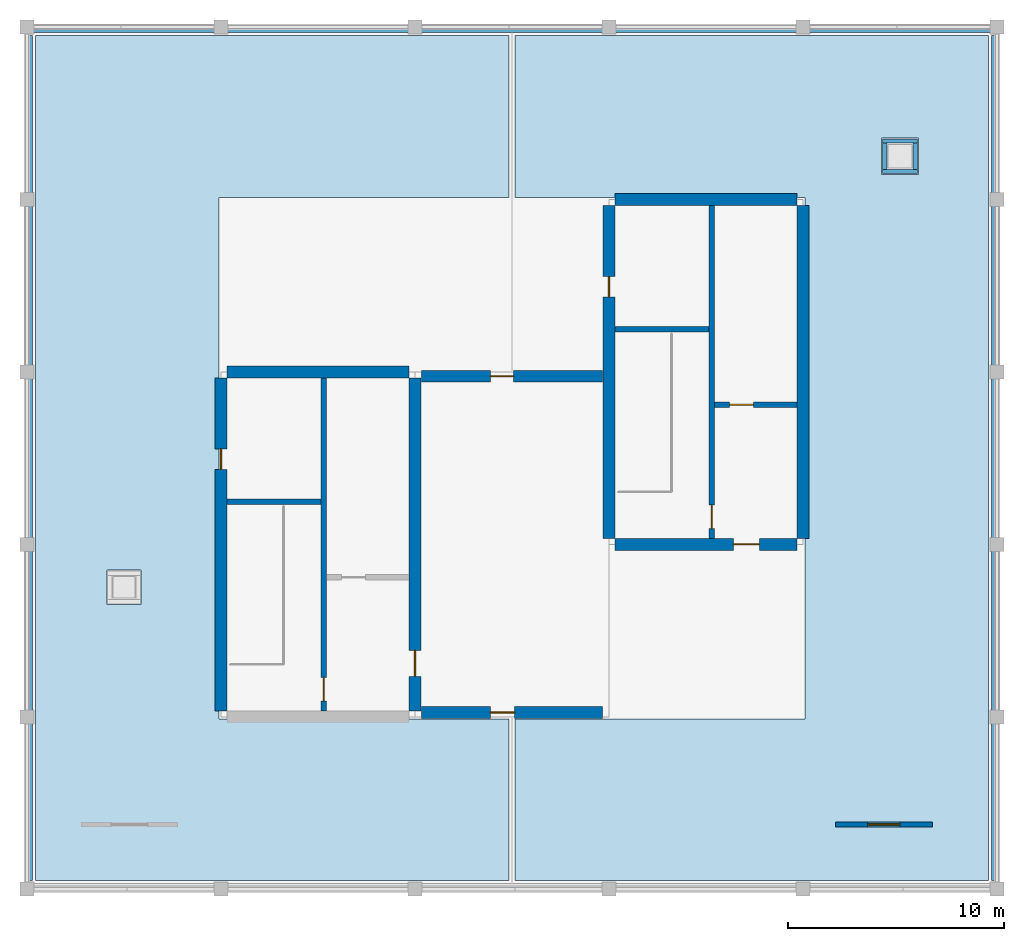
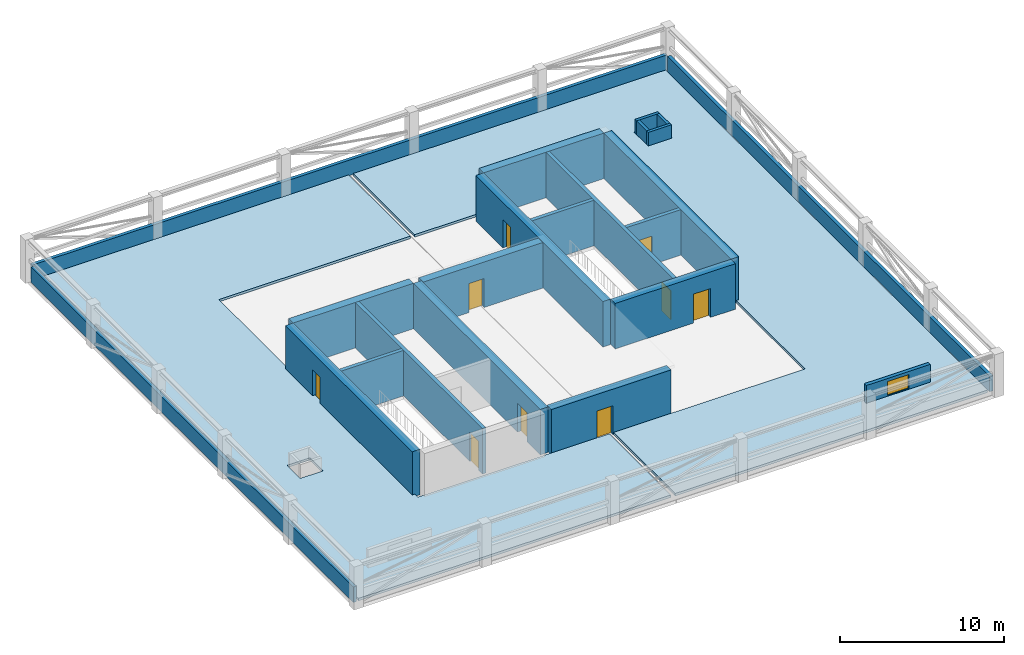
# One storey, part 2 of 3: 22 walls, 9 doors, 2 roofs, 1 window, 10 openings.
"""IFC4 building model written with IfcOpenShell, lengths in metres."""

import ifcopenshell
import ifcopenshell.guid

model = None  # the IFC model being written
_history = None  # IfcOwnerHistory: only IFC2X3 demands one
_inside = {}  # id of a spatial element -> (the spatial element, [elements in it])
_under = {}  # id of a project, library or spatial element -> (it, [spatial elements below it])
_declared = {}  # id of a project -> (the project, [libraries it declares])
_typed = {}  # id of a type object -> (the type object, [elements of that type])
_made_of = {}  # id of a material, layer set ... -> (it, [elements and type objects made of it])


def new_model(schema):
    """Start an empty IFC model of exactly this schema.

    Asked for "IFC4X3", IfcOpenShell would pick the latest addendum, in which some entities
    have other attributes; the version numbers below select the first issue.
    IFC2X3 requires an IfcOwnerHistory on every rooted entity: one is made here for all.
    """
    global model, _history
    if schema == "IFC4X3":
        model = ifcopenshell.file(schema_version=(4, 3, 0, 0))
    else:
        model = ifcopenshell.file(schema=schema)
    _inside.clear()
    _under.clear()
    _declared.clear()
    _typed.clear()
    _made_of.clear()
    _history = None
    if model.schema == "IFC2X3":
        org = make("IfcOrganization", Name="unknown")
        user = make(
            "IfcPersonAndOrganization",
            ThePerson=make("IfcPerson", FamilyName="unknown"),
            TheOrganization=org,
        )
        app = make(
            "IfcApplication",
            ApplicationDeveloper=org,
            Version="unknown",
            ApplicationFullName="unknown",
            ApplicationIdentifier="unknown",
        )
        _history = make(
            "IfcOwnerHistory",
            OwningUser=user,
            OwningApplication=app,
            ChangeAction="ADDED",
            CreationDate=0,
        )
    return model


def make(cls, **values):
    """One entity of the class cls with the attributes given. An attribute that is None is left unset."""
    return model.create_entity(
        cls, **{name: value for name, value in values.items() if value is not None}
    )


def rooted(cls, **values):
    """An entity with a GlobalId (a new one), such as an element, a storey or a relation."""
    return make(cls, GlobalId=ifcopenshell.guid.new(), OwnerHistory=_history, **values)


def si_unit(unit_type, name, prefix=None):
    """IfcSIUnit, for example si_unit("LENGTHUNIT", "METRE", prefix="MILLI")."""
    return make("IfcSIUnit", UnitType=unit_type, Prefix=prefix, Name=name)


def assignment(units):
    """IfcUnitAssignment: the units of a project."""
    return None if units is None else make("IfcUnitAssignment", Units=units)


def point(xyz):
    """IfcCartesianPoint."""
    return None if xyz is None else make("IfcCartesianPoint", Coordinates=xyz)


def direction(xyz):
    """IfcDirection."""
    return None if xyz is None else make("IfcDirection", DirectionRatios=xyz)


def frame(location, z_axis=None, x_axis=None):
    """IfcAxis2Placement3D, a coordinate frame: its origin and axes. An axis left out is left unset."""
    return make(
        "IfcAxis2Placement3D",
        Location=point(location),
        Axis=direction(z_axis),
        RefDirection=direction(x_axis),
    )


def frame_2d(location, x_axis=None):
    """IfcAxis2Placement2D, a coordinate frame in the plane: its origin and x axis."""
    return make(
        "IfcAxis2Placement2D", Location=point(location), RefDirection=direction(x_axis)
    )


def origin():
    """The frame at (0, 0, 0) with its axes left unset."""
    return frame((0.0, 0.0, 0.0))


def place(relative_to, where):
    """IfcLocalPlacement: puts the frame where relative to a parent placement (None: the world)."""
    return make(
        "IfcLocalPlacement", PlacementRelTo=relative_to, RelativePlacement=where
    )


def context(
    kind, dimensions, precision=None, world=None, true_north=None, identifier=None
):
    """IfcGeometricRepresentationContext, for example the 3D "Model" context."""
    return make(
        "IfcGeometricRepresentationContext",
        ContextIdentifier=identifier,
        ContextType=kind,
        CoordinateSpaceDimension=dimensions,
        Precision=precision,
        WorldCoordinateSystem=world,
        TrueNorth=true_north,
    )


def subcontext(parent, identifier, kind, view, scale=None):
    """IfcGeometricRepresentationSubContext, for example "Body" below "Model"."""
    return make(
        "IfcGeometricRepresentationSubContext",
        ContextIdentifier=identifier,
        ContextType=kind,
        ParentContext=parent,
        TargetScale=scale,
        TargetView=view,
    )


def project(units=None, contexts=None):
    """IfcProject with its units and contexts."""
    return rooted(
        "IfcProject",
        Name="project",
        RepresentationContexts=contexts,
        UnitsInContext=assignment(units),
    )


def spatial(cls, under=None, at=None, **own):
    """A site, building, storey or space (cls), placed at a placement, below another one or the project."""
    s = rooted(cls, ObjectPlacement=at, **own)
    if under is not None:
        _under.setdefault(under.id(), (under, []))[1].append(s)
    return s


def polyline(points):
    """IfcPolyline through the points."""
    return make("IfcPolyline", Points=[point(p) for p in points])


def profile(cls, at=None, kind="AREA", **sizes):
    """A parametric profile (cls). Its sizes go by their IFC names, for example OverallWidth=200.0."""
    return make(cls, ProfileType=kind, Position=at, **sizes)


def rectangle(**sizes):
    """IfcRectangleProfileDef."""
    return profile("IfcRectangleProfileDef", **sizes)


def outline(outer, holes=None, kind="AREA"):
    """IfcArbitraryClosedProfileDef: a profile drawn as a closed curve; with holes, ...WithVoids."""
    if holes is None:
        return make("IfcArbitraryClosedProfileDef", ProfileType=kind, OuterCurve=outer)
    return make(
        "IfcArbitraryProfileDefWithVoids",
        ProfileType=kind,
        OuterCurve=outer,
        InnerCurves=holes,
    )


def extrude(swept, where, along, depth):
    """IfcExtrudedAreaSolid: the profile swept, set in the frame where, extruded along a direction by depth."""
    return make(
        "IfcExtrudedAreaSolid",
        SweptArea=swept,
        Position=where,
        ExtrudedDirection=direction(along),
        Depth=depth,
    )


def shape(context_of_items, identifier, shape_type, items):
    """IfcShapeRepresentation: the items that make up one representation, for example the "Body"."""
    return make(
        "IfcShapeRepresentation",
        ContextOfItems=context_of_items,
        RepresentationIdentifier=identifier,
        RepresentationType=shape_type,
        Items=items,
    )


def material(Name=None, Category=None):
    """IfcMaterial."""
    return make("IfcMaterial", Name=Name, Category=Category)


def layer(
    of_material, thickness, ventilated=None, Name=None, Category=None, Priority=None
):
    """IfcMaterialLayer: one layer of a wall or slab, of a material (None: an air gap)."""
    return make(
        "IfcMaterialLayer",
        Material=of_material,
        LayerThickness=thickness,
        IsVentilated=ventilated,
        Name=Name,
        Category=Category,
        Priority=Priority,
    )


def layer_set(layers, Name=None):
    """IfcMaterialLayerSet."""
    return make("IfcMaterialLayerSet", MaterialLayers=layers, LayerSetName=Name)


def made_of(thing, what):
    """Note that an element or type object is made of a material, layer set ...; save() writes the relation."""
    if what is not None:
        _made_of.setdefault(what.id(), (what, []))[1].append(thing)
    return thing


def type_object(cls, material=None, **own):
    """A type object (cls), such as IfcWallType, which elements share."""
    return made_of(rooted(cls, **own), material)


def element(
    cls,
    number,
    at=None,
    inside=None,
    cuts=None,
    type_object=None,
    material=None,
    context=None,
    identifier="Body",
    shape_type=None,
    held_by="IfcProductDefinitionShape",
    body=None,
    shapes=None,
    **own,
):
    """One element of the class cls, such as IfcWall. Its Tag is "e" and its number.

    at: its placement. inside: the storey or other place that contains it. cuts: it is an
    opening in that element (IfcRelVoidsElement). A single representation is given by context,
    identifier, shape_type and body (its items); several are given by shapes. held_by: the class
    of the entity that holds the representations. save() writes the other relations.
    """
    e = rooted(cls, Tag="e%d" % number, ObjectPlacement=at, **own)
    if body is not None:
        shapes = [shape(context, identifier, shape_type, body)]
    if shapes is not None:
        e.Representation = make(held_by, Representations=shapes)
    if inside is not None:
        _inside.setdefault(inside.id(), (inside, []))[1].append(e)
    if cuts is not None:
        rooted(
            "IfcRelVoidsElement", RelatingBuildingElement=cuts, RelatedOpeningElement=e
        )
    if type_object is not None:
        _typed.setdefault(type_object.id(), (type_object, []))[1].append(e)
    return made_of(e, material)


def fill(opening, filler):
    """IfcRelFillsElement: the door or window that sits in an opening."""
    return rooted(
        "IfcRelFillsElement",
        RelatingOpeningElement=opening,
        RelatedBuildingElement=filler,
    )


def aggregate(whole, parts):
    """IfcRelAggregates: a whole, such as a stair, and the parts it consists of."""
    return rooted("IfcRelAggregates", RelatingObject=whole, RelatedObjects=parts)


def save(model, path):
    """Write the relations noted so far, then the file.

    IfcRelAggregates (storeys below a building ...), IfcRelContainedInSpatialStructure (elements
    in a storey), IfcRelDefinesByType, IfcRelAssociatesMaterial and IfcRelDeclares: one each for
    every whole, place, type object, material and project.
    """
    for whole, parts in _under.values():
        aggregate(whole, parts)
    for where, things in _inside.values():
        rooted(
            "IfcRelContainedInSpatialStructure",
            RelatedElements=things,
            RelatingStructure=where,
        )
    for kind, things in _typed.values():
        rooted("IfcRelDefinesByType", RelatedObjects=things, RelatingType=kind)
    for what, things in _made_of.values():
        rooted("IfcRelAssociatesMaterial", RelatedObjects=things, RelatingMaterial=what)
    for by, libraries in _declared.values():
        rooted("IfcRelDeclares", RelatingContext=by, RelatedDefinitions=libraries)
    model.write(path)


model = new_model("IFC4")

# Units and contexts
model_context = context("Model", 3, precision=1e-05, world=origin(), true_north=direction((0.0, 1.0)))
body_context = subcontext(model_context, "Body", "Model", "MODEL_VIEW")
ifc_project = project(units=[si_unit("LENGTHUNIT", "METRE"), si_unit("AREAUNIT", "SQUARE_METRE"), si_unit("VOLUMEUNIT", "CUBIC_METRE"), si_unit("PLANEANGLEUNIT", "RADIAN"), si_unit("MASSUNIT", "GRAM", prefix="KILO")], contexts=[model_context])

# Site, building, storey
site_placement = place(None, origin())
site = spatial("IfcSite", under=ifc_project, at=site_placement, CompositionType="ELEMENT")
building_placement = place(site_placement, origin())
building = spatial("IfcBuilding", under=site, at=building_placement, Name="Zaverband Oceanarium and Marine Research Institute", CompositionType="ELEMENT")
storey_placement = place(building_placement, frame((0.0, 0.0, 72.89990234375)))
storey = spatial("IfcBuildingStorey", under=building, at=storey_placement, Name="Roof", CompositionType="ELEMENT", Elevation=72.89990234375)

# Wall, opening, window
ifc_material_1 = material(Name="Concrete C40/50", Category="concrete")
ifc_layer_1 = layer(ifc_material_1, 0.2451171875, Name="Concrete C40/50")
ifc_layer_set_1 = layer_set([ifc_layer_1], Name="Concrete C40/50")
wall_type_1 = type_object("IfcWallType", Name="CRB-245", PredefinedType="PARAPET", material=ifc_layer_set_1)
wall_1_placement = place(storey_placement, frame((46.5, 75.0, 0.0), z_axis=(0.0, 0.0, 1.0), x_axis=(1.0, 0.0, 0.0)))
wall_1 = element("IfcWall", 1, at=wall_1_placement, inside=storey, type_object=wall_type_1, Name="Roof parapet upstand CRB-245", PredefinedType="PARAPET", context=body_context, shape_type="SweptSolid", body=[
    extrude(rectangle(XDim=4.5, YDim=0.2451171875, at=frame_2d((2.25, 0.0))), origin(), (0.0, 0.0, 1.0), 1.5),
])
opening_1_placement = place(wall_1_placement, frame((1.5, 0.0, 0.219970703125)))
opening_1 = element("IfcOpeningElement", 2, at=opening_1_placement, cuts=wall_1, Name="Opening SKY-1500x1050", PredefinedType="OPENING", context=body_context, shape_type="SweptSolid", body=[
    extrude(rectangle(XDim=1.5, YDim=1.050048828125, at=frame_2d((0.75, 0.52490234375))), frame((0.0, 0.134521484375, 0.0), z_axis=(0.0, -1.0, 0.0), x_axis=(1.0, 0.0, 0.0)), (0.0, 0.0, 1.0), 0.26904296875),
])
ifc_material_2 = material(Name="Thermally broken aluminium and laminated solar-control glass", Category="aluminium")
window_type = type_object("IfcWindowType", Name="SKY-1500x1050", PartitioningType="SINGLE_PANEL", PredefinedType="SKYLIGHT", material=ifc_material_2)
window_placement = place(opening_1_placement, origin())
window = element("IfcWindow", 3, at=window_placement, inside=storey, type_object=window_type, Name="Insulated roof skylight SKY-1500x1050", OverallHeight=1.050048828125, OverallWidth=1.5, PartitioningType="SINGLE_PANEL", PredefinedType="SKYLIGHT", context=body_context, shape_type="SweptSolid", body=[
    extrude(rectangle(XDim=1.5, YDim=1.050048828125, at=frame_2d((0.75, 0.52490234375))), frame((0.0, 0.030029296875, 0.0), z_axis=(0.0, -1.0, 0.0), x_axis=(1.0, 0.0, 0.0)), (0.0, 0.0, 1.0), 0.06005859375),
])
fill(opening_1, window)

# Wall
ifc_material_3 = material(Name="Concrete C50/60", Category="concrete")
ifc_layer_2 = layer(ifc_material_3, 0.550048828125, Name="Concrete C50/60")
ifc_layer_set_2 = layer_set([ifc_layer_2], Name="Concrete C50/60")
wall_type_2 = type_object("IfcWallType", Name="CW-01", PredefinedType="SHEAR", material=ifc_layer_set_2)
wall_2_placement = place(storey_placement, frame((18.27490234375, 96.0, 0.0), z_axis=(0.0, 0.0, 1.0), x_axis=(1.0, 0.0, 0.0)))
element("IfcWall", 4, at=wall_2_placement, inside=storey, type_object=wall_type_2, Name="Structural shear wall CW-01", PredefinedType="SHEAR", context=body_context, shape_type="SweptSolid", body=[
    extrude(rectangle(XDim=8.4501953125, YDim=0.550048828125, at=frame_2d((4.22509765625, 0.0))), origin(), (0.0, 0.0, 1.0), 3.380126953125),
])

# Wall, opening, door
wall_3_placement = place(storey_placement, frame((18.0, 80.27490234375, 0.0), z_axis=(0.0, 0.0, 1.0), x_axis=(0.0, 1.0, 0.0)))
wall_3 = element("IfcWall", 5, at=wall_3_placement, inside=storey, type_object=wall_type_2, Name="Structural shear wall CW-01", PredefinedType="SHEAR", context=body_context, shape_type="SweptSolid", body=[
    extrude(rectangle(XDim=15.4501953125, YDim=0.550048828125, at=frame_2d((7.72509765625, 0.0))), origin(), (0.0, 0.0, 1.0), 3.380126953125),
])
opening_2_placement = place(wall_3_placement, frame((11.199951171875, 0.0, 0.0)))
opening_2 = element("IfcOpeningElement", 6, at=opening_2_placement, cuts=wall_3, Name="Opening FD-03", PredefinedType="OPENING", context=body_context, shape_type="SweptSolid", body=[
    extrude(rectangle(XDim=0.949951171875, YDim=2.10009765625, at=frame_2d((0.47509765625, 1.050048828125))), frame((0.0, 0.287109375, 0.0), z_axis=(0.0, -1.0, 0.0), x_axis=(1.0, 0.0, 0.0)), (0.0, 0.0, 1.0), 0.573974609375),
])
ifc_material_4 = material(Name="Steel S355", Category="steel")
door_type_1 = type_object("IfcDoorType", Name="FD-03", OperationType="NOTDEFINED", PredefinedType="DOOR", material=ifc_material_4)
door_1_placement = place(opening_2_placement, origin())
door_1 = element("IfcDoor", 7, at=door_1_placement, inside=storey, type_object=door_type_1, Name="Service riser access fire door FD-03", OperationType="SINGLE_SWING_RIGHT", OverallHeight=2.10009765625, OverallWidth=0.949951171875, PredefinedType="DOOR", context=body_context, shape_type="SweptSolid", body=[
    extrude(rectangle(XDim=0.949951171875, YDim=2.10009765625, at=frame_2d((0.47509765625, 1.050048828125))), frame((0.0, 0.02490234375, 0.0), z_axis=(0.0, -1.0, 0.0), x_axis=(1.0, 0.0, 0.0)), (0.0, 0.0, 1.0), 0.050048828125),
])
fill(opening_2, door_1)

wall_4_placement = place(storey_placement, frame((27.0, 80.27490234375, 0.0), z_axis=(0.0, 0.0, 1.0), x_axis=(0.0, 1.0, 0.0)))
wall_4 = element("IfcWall", 8, at=wall_4_placement, inside=storey, type_object=wall_type_2, Name="Structural shear wall CW-01", PredefinedType="SHEAR", context=body_context, shape_type="SweptSolid", body=[
    extrude(rectangle(XDim=15.4501953125, YDim=0.550048828125, at=frame_2d((7.72509765625, 0.0))), origin(), (0.0, 0.0, 1.0), 3.380126953125),
])
opening_3_placement = place(wall_4_placement, frame((1.60009765625, 0.0, 0.0)))
opening_3 = element("IfcOpeningElement", 9, at=opening_3_placement, cuts=wall_4, Name="Opening FD-04", PredefinedType="OPENING", context=body_context, shape_type="SweptSolid", body=[
    extrude(rectangle(XDim=1.199951171875, YDim=2.14990234375, at=frame_2d((0.60009765625, 1.074951171875))), frame((0.0, 0.287109375, 0.0), z_axis=(0.0, -1.0, 0.0), x_axis=(1.0, 0.0, 0.0)), (0.0, 0.0, 1.0), 0.573974609375),
])
door_type_2 = type_object("IfcDoorType", Name="FD-04", OperationType="NOTDEFINED", PredefinedType="DOOR", material=ifc_material_4)
door_2_placement = place(opening_3_placement, frame((1.199951171875, 0.0, 0.0), z_axis=(0.0, 0.0, 1.0), x_axis=(-1.0, 0.0, 0.0)))
door_2 = element("IfcDoor", 10, at=door_2_placement, inside=storey, type_object=door_type_2, Name="Core C1 Roof Plant Access Door", OperationType="SINGLE_SWING_RIGHT", OverallHeight=2.14990234375, OverallWidth=1.199951171875, PredefinedType="DOOR", context=body_context, shape_type="SweptSolid", body=[
    extrude(rectangle(XDim=1.199951171875, YDim=2.14990234375, at=frame_2d((0.60009765625, 1.074951171875))), frame((0.0, 0.02490234375, 0.0), z_axis=(0.0, -1.0, 0.0), x_axis=(1.0, 0.0, 0.0)), (0.0, 0.0, 1.0), 0.050048828125),
])
fill(opening_3, door_2)

wall_5_placement = place(storey_placement, frame((36.27490234375, 88.0, 0.0), z_axis=(0.0, 0.0, 1.0), x_axis=(1.0, 0.0, 0.0)))
wall_5 = element("IfcWall", 11, at=wall_5_placement, inside=storey, type_object=wall_type_2, Name="Structural shear wall CW-01", PredefinedType="SHEAR", context=body_context, shape_type="SweptSolid", body=[
    extrude(rectangle(XDim=8.4501953125, YDim=0.550048828125, at=frame_2d((4.22509765625, 0.0))), origin(), (0.0, 0.0, 1.0), 3.380126953125),
])
opening_4_placement = place(wall_5_placement, frame((5.5, 0.0, 0.0)))
opening_4 = element("IfcOpeningElement", 12, at=opening_4_placement, cuts=wall_5, Name="Opening FD-04", PredefinedType="OPENING", context=body_context, shape_type="SweptSolid", body=[
    extrude(rectangle(XDim=1.199951171875, YDim=2.14990234375, at=frame_2d((0.60009765625, 1.074951171875))), frame((0.0, 0.287109375, 0.0), z_axis=(0.0, -1.0, 0.0), x_axis=(1.0, 0.0, 0.0)), (0.0, 0.0, 1.0), 0.573974609375),
])
door_3_placement = place(opening_4_placement, frame((1.199951171875, 0.0, 0.0), z_axis=(0.0, 0.0, 1.0), x_axis=(-1.0, 0.0, 0.0)))
door_3 = element("IfcDoor", 13, at=door_3_placement, inside=storey, type_object=door_type_2, Name="Core C2 Roof Plant Access Door", OperationType="SINGLE_SWING_RIGHT", OverallHeight=2.14990234375, OverallWidth=1.199951171875, PredefinedType="DOOR", context=body_context, shape_type="SweptSolid", body=[
    extrude(rectangle(XDim=1.199951171875, YDim=2.14990234375, at=frame_2d((0.60009765625, 1.074951171875))), frame((0.0, 0.02490234375, 0.0), z_axis=(0.0, -1.0, 0.0), x_axis=(1.0, 0.0, 0.0)), (0.0, 0.0, 1.0), 0.050048828125),
])
fill(opening_4, door_3)

# Wall
wall_6_placement = place(storey_placement, frame((36.27490234375, 104.0, 0.0), z_axis=(0.0, 0.0, 1.0), x_axis=(1.0, 0.0, 0.0)))
element("IfcWall", 14, at=wall_6_placement, inside=storey, type_object=wall_type_2, Name="Structural shear wall CW-01", PredefinedType="SHEAR", context=body_context, shape_type="SweptSolid", body=[
    extrude(rectangle(XDim=8.4501953125, YDim=0.550048828125, at=frame_2d((4.22509765625, 0.0))), origin(), (0.0, 0.0, 1.0), 3.380126953125),
])

# Wall, opening, door
wall_7_placement = place(storey_placement, frame((36.0, 88.27490234375, 0.0), z_axis=(0.0, 0.0, 1.0), x_axis=(0.0, 1.0, 0.0)))
wall_7 = element("IfcWall", 15, at=wall_7_placement, inside=storey, type_object=wall_type_2, Name="Structural shear wall CW-01", PredefinedType="SHEAR", context=body_context, shape_type="SweptSolid", body=[
    extrude(rectangle(XDim=15.4501953125, YDim=0.550048828125, at=frame_2d((7.72509765625, 0.0))), origin(), (0.0, 0.0, 1.0), 3.380126953125),
])
opening_5_placement = place(wall_7_placement, frame((11.199951171875, 0.0, 0.0)))
opening_5 = element("IfcOpeningElement", 16, at=opening_5_placement, cuts=wall_7, Name="Opening FD-03", PredefinedType="OPENING", context=body_context, shape_type="SweptSolid", body=[
    extrude(rectangle(XDim=0.949951171875, YDim=2.10009765625, at=frame_2d((0.47509765625, 1.050048828125))), frame((0.0, 0.287109375, 0.0), z_axis=(0.0, -1.0, 0.0), x_axis=(1.0, 0.0, 0.0)), (0.0, 0.0, 1.0), 0.573974609375),
])
door_4_placement = place(opening_5_placement, origin())
door_4 = element("IfcDoor", 17, at=door_4_placement, inside=storey, type_object=door_type_1, Name="Service riser access fire door FD-03", OperationType="SINGLE_SWING_RIGHT", OverallHeight=2.10009765625, OverallWidth=0.949951171875, PredefinedType="DOOR", context=body_context, shape_type="SweptSolid", body=[
    extrude(rectangle(XDim=0.949951171875, YDim=2.10009765625, at=frame_2d((0.47509765625, 1.050048828125))), frame((0.0, 0.02490234375, 0.0), z_axis=(0.0, -1.0, 0.0), x_axis=(1.0, 0.0, 0.0)), (0.0, 0.0, 1.0), 0.050048828125),
])
fill(opening_5, door_4)

# Wall
wall_8_placement = place(storey_placement, frame((45.0, 88.27490234375, 0.0), z_axis=(0.0, 0.0, 1.0), x_axis=(0.0, 1.0, 0.0)))
element("IfcWall", 18, at=wall_8_placement, inside=storey, type_object=wall_type_2, Name="Structural shear wall CW-01", PredefinedType="SHEAR", context=body_context, shape_type="SweptSolid", body=[
    extrude(rectangle(XDim=15.4501953125, YDim=0.550048828125, at=frame_2d((7.72509765625, 0.0))), origin(), (0.0, 0.0, 1.0), 3.380126953125),
])

# Wall, opening, door
wall_9_placement = place(storey_placement, frame((27.300048828125, 80.199951171875, 0.0), z_axis=(0.0, 0.0, 1.0), x_axis=(1.0, 0.0, 0.0)))
wall_9 = element("IfcWall", 19, at=wall_9_placement, inside=storey, type_object=wall_type_2, Name="Structural shear wall CW-01", PredefinedType="SHEAR", context=body_context, shape_type="SweptSolid", body=[
    extrude(rectangle(XDim=8.39990234375, YDim=0.550048828125, at=frame_2d((4.199951171875, 0.0))), origin(), (0.0, 0.0, 1.0), 3.380126953125),
])
opening_6_placement = place(wall_9_placement, frame((3.199951171875, 0.0, 0.0)))
opening_6 = element("IfcOpeningElement", 20, at=opening_6_placement, cuts=wall_9, Name="Opening TD-1120x2150", PredefinedType="OPENING", context=body_context, shape_type="SweptSolid", body=[
    extrude(rectangle(XDim=1.1201171875, YDim=2.14990234375, at=frame_2d((0.56005859375, 1.074951171875))), frame((0.0, 0.287109375, 0.0), z_axis=(0.0, -1.0, 0.0), x_axis=(1.0, 0.0, 0.0)), (0.0, 0.0, 1.0), 0.573974609375),
])
ifc_material_5 = material(Name="Thermally broken anodized aluminium and laminated glass", Category="aluminium")
door_type_3 = type_object("IfcDoorType", Name="TD-1120x2150", OperationType="NOTDEFINED", PredefinedType="DOOR", material=ifc_material_5)
door_5_placement = place(opening_6_placement, frame((1.1201171875, 0.0, 0.0), z_axis=(0.0, 0.0, 1.0), x_axis=(-1.0, 0.0, 0.0)))
door_5 = element("IfcDoor", 21, at=door_5_placement, inside=storey, type_object=door_type_3, Name="Rooftop Plant Maintenance Access Door", OperationType="SINGLE_SWING_LEFT", OverallHeight=2.14990234375, OverallWidth=1.1201171875, PredefinedType="DOOR", context=body_context, shape_type="SweptSolid", body=[
    extrude(rectangle(XDim=1.1201171875, YDim=2.14990234375, at=frame_2d((0.56005859375, 1.074951171875))), frame((0.0, 0.02490234375, 0.0), z_axis=(0.0, -1.0, 0.0), x_axis=(1.0, 0.0, 0.0)), (0.0, 0.0, 1.0), 0.050048828125),
])
fill(opening_6, door_5)

wall_10_placement = place(storey_placement, frame((27.300048828125, 95.800048828125, 0.0), z_axis=(0.0, 0.0, 1.0), x_axis=(1.0, 0.0, 0.0)))
wall_10 = element("IfcWall", 22, at=wall_10_placement, inside=storey, type_object=wall_type_2, Name="Structural shear wall CW-01", PredefinedType="SHEAR", context=body_context, shape_type="SweptSolid", body=[
    extrude(rectangle(XDim=8.39990234375, YDim=0.550048828125, at=frame_2d((4.199951171875, 0.0))), origin(), (0.0, 0.0, 1.0), 3.380126953125),
])
opening_7_placement = place(wall_10_placement, frame((3.199951171875, 0.0, 0.0)))
opening_7 = element("IfcOpeningElement", 23, at=opening_7_placement, cuts=wall_10, Name="Opening ID-1080x2150", PredefinedType="OPENING", context=body_context, shape_type="SweptSolid", body=[
    extrude(rectangle(XDim=1.080078125, YDim=2.14990234375, at=frame_2d((0.5400390625, 1.074951171875))), frame((0.0, 0.287109375, 0.0), z_axis=(0.0, -1.0, 0.0), x_axis=(1.0, 0.0, 0.0)), (0.0, 0.0, 1.0), 0.573974609375),
])
door_type_4 = type_object("IfcDoorType", Name="ID-1080x2150", OperationType="NOTDEFINED", PredefinedType="DOOR", material=ifc_material_4)
door_6_placement = place(opening_7_placement, origin())
door_6 = element("IfcDoor", 24, at=door_6_placement, inside=storey, type_object=door_type_4, Name="Rooftop Plant Lobby Access Door", OperationType="SINGLE_SWING_RIGHT", OverallHeight=2.14990234375, OverallWidth=1.080078125, PredefinedType="DOOR", context=body_context, shape_type="SweptSolid", body=[
    extrude(rectangle(XDim=1.080078125, YDim=2.14990234375, at=frame_2d((0.5400390625, 1.074951171875))), frame((0.0, 0.02490234375, 0.0), z_axis=(0.0, -1.0, 0.0), x_axis=(1.0, 0.0, 0.0)), (0.0, 0.0, 1.0), 0.050048828125),
])
fill(opening_7, door_6)

# Walls
ifc_layer_3 = layer(ifc_material_1, 0.195068359375, Name="Concrete C40/50")
ifc_layer_set_3 = layer_set([ifc_layer_3], Name="Concrete C40/50")
wall_type_3 = type_object("IfcWallType", Name="PAR-195", PredefinedType="PARAPET", material=ifc_layer_set_3)
for number, where, z_axis, x_axis, name in (
    (25, (48.6923828125, 105.2900390625, 0.0), (0.0, 0.0, 1.0), (1.0, 0.0, 0.0), "Roof parapet upstand PAR-195"),
    (26, (48.6923828125, 106.7099609375, 0.0), (0.0, 0.0, 1.0), (1.0, 0.0, 0.0), "Roof parapet upstand PAR-195"),
):
    element("IfcWall", number, at=place(storey_placement, frame(where, z_axis=z_axis, x_axis=x_axis)), inside=storey, type_object=wall_type_3, Name=name, PredefinedType="PARAPET", context=body_context, shape_type="SweptSolid", body=[
        extrude(rectangle(XDim=1.615234375, YDim=0.195068359375, at=frame_2d((0.8076171875, 0.0))), origin(), (0.0, 0.0, 1.0), 1.150146484375),
    ])
for number, where, z_axis, x_axis, name in (
    (27, (48.7900390625, 105.387451171875, 0.0), (0.0, 0.0, 1.0), (0.0, 1.0, 0.0), "Roof parapet upstand PAR-195"),
    (28, (50.2099609375, 105.387451171875, 0.0), (0.0, 0.0, 1.0), (0.0, 1.0, 0.0), "Roof parapet upstand PAR-195"),
):
    element("IfcWall", number, at=place(storey_placement, frame(where, z_axis=z_axis, x_axis=x_axis)), inside=storey, type_object=wall_type_3, Name=name, PredefinedType="PARAPET", context=body_context, shape_type="SweptSolid", body=[
        extrude(rectangle(XDim=1.22509765625, YDim=0.195068359375, at=frame_2d((0.612548828125, 0.0))), origin(), (0.0, 0.0, 1.0), 1.150146484375),
    ])
ifc_layer_4 = layer(ifc_material_1, 0.22998046875, Name="Concrete C40/50")
ifc_layer_set_4 = layer_set([ifc_layer_4], Name="Concrete C40/50")
wall_type_4 = type_object("IfcWallType", Name="PAR-230", PredefinedType="PARAPET", material=ifc_layer_set_4)
wall_11_placement = place(storey_placement, frame((9.199951171875, 111.85009765625, 0.0), z_axis=(0.0, 0.0, 1.0), x_axis=(1.0, 0.0, 0.0)))
element("IfcWall", 29, at=wall_11_placement, inside=storey, type_object=wall_type_4, Name="Roof parapet upstand PAR-230", PredefinedType="PARAPET", context=body_context, shape_type="SweptSolid", body=[
    extrude(rectangle(XDim=44.60009765625, YDim=0.22998046875, at=frame_2d((22.300048828125, 0.0))), origin(), (0.0, 0.0, 1.0), 1.150146484375),
])
for number, where, z_axis, x_axis, name in (
    (30, (9.14990234375, 72.39990234375, 0.0), (0.0, 0.0, 1.0), (0.0, 1.0, 0.0), "Roof parapet upstand PAR-230"),
    (31, (53.85009765625, 72.39990234375, 0.0), (0.0, 0.0, 1.0), (0.0, 1.0, 0.0), "Roof parapet upstand PAR-230"),
):
    element("IfcWall", number, at=place(storey_placement, frame(where, z_axis=z_axis, x_axis=x_axis)), inside=storey, type_object=wall_type_4, Name=name, PredefinedType="PARAPET", context=body_context, shape_type="SweptSolid", body=[
        extrude(rectangle(XDim=39.2001953125, YDim=0.22998046875, at=frame_2d((19.60009765625, 0.0))), origin(), (0.0, 0.0, 1.0), 1.150146484375),
    ])

# Wall, opening, door
ifc_layer_5 = layer(ifc_material_3, 0.25, Name="Concrete C50/60")
ifc_layer_set_5 = layer_set([ifc_layer_5], Name="Concrete C50/60")
wall_type_5 = type_object("IfcWallType", Name="PW-CORE-250", PredefinedType="SOLIDWALL", material=ifc_layer_set_5)
wall_12_placement = place(storey_placement, frame((22.77490234375, 80.27490234375, 0.0), z_axis=(0.0, 0.0, 1.0), x_axis=(0.0, 1.0, 0.0)))
wall_12 = element("IfcWall", 32, at=wall_12_placement, inside=storey, type_object=wall_type_5, Name="Structural concrete wall PW-CORE-250", PredefinedType="SOLIDWALL", context=body_context, shape_type="SweptSolid", body=[
    extrude(rectangle(XDim=15.4501953125, YDim=0.25, at=frame_2d((7.72509765625, 0.0))), origin(), (0.0, 0.0, 1.0), 3.380126953125),
])
opening_8_placement = place(wall_12_placement, frame((0.449951171875, 0.0, 0.0)))
opening_8 = element("IfcOpeningElement", 33, at=opening_8_placement, cuts=wall_12, Name="Opening FD-01", PredefinedType="OPENING", context=body_context, shape_type="SweptSolid", body=[
    extrude(rectangle(XDim=1.10009765625, YDim=2.14990234375, at=frame_2d((0.550048828125, 1.074951171875))), frame((0.0, 0.136962890625, 0.0), z_axis=(0.0, -1.0, 0.0), x_axis=(1.0, 0.0, 0.0)), (0.0, 0.0, 1.0), 0.27392578125),
])
door_type_5 = type_object("IfcDoorType", Name="FD-01", OperationType="NOTDEFINED", PredefinedType="DOOR", material=ifc_material_4)
door_7_placement = place(opening_8_placement, origin())
door_7 = element("IfcDoor", 34, at=door_7_placement, inside=storey, type_object=door_type_5, Name="Core stair / lobby fire door FD-01", OperationType="SINGLE_SWING_LEFT", OverallHeight=2.14990234375, OverallWidth=1.10009765625, PredefinedType="DOOR", context=body_context, shape_type="SweptSolid", body=[
    extrude(rectangle(XDim=1.10009765625, YDim=2.14990234375, at=frame_2d((0.550048828125, 1.074951171875))), frame((0.0, 0.02490234375, 0.0), z_axis=(0.0, -1.0, 0.0), x_axis=(1.0, 0.0, 0.0)), (0.0, 0.0, 1.0), 0.050048828125),
])
fill(opening_8, door_7)

# Wall
wall_13_placement = place(storey_placement, frame((18.27490234375, 89.97509765625, 0.0), z_axis=(0.0, 0.0, 1.0), x_axis=(1.0, 0.0, 0.0)))
element("IfcWall", 35, at=wall_13_placement, inside=storey, type_object=wall_type_5, Name="Structural concrete wall PW-CORE-250", PredefinedType="SOLIDWALL", context=body_context, shape_type="SweptSolid", body=[
    extrude(rectangle(XDim=4.3701171875, YDim=0.25, at=frame_2d((2.18505859375, 0.0))), origin(), (0.0, 0.0, 1.0), 3.380126953125),
])

# Wall, opening, door
wall_14_placement = place(storey_placement, frame((40.77490234375, 88.27490234375, 0.0), z_axis=(0.0, 0.0, 1.0), x_axis=(0.0, 1.0, 0.0)))
wall_14 = element("IfcWall", 36, at=wall_14_placement, inside=storey, type_object=wall_type_5, Name="Structural concrete wall PW-CORE-250", PredefinedType="SOLIDWALL", context=body_context, shape_type="SweptSolid", body=[
    extrude(rectangle(XDim=15.4501953125, YDim=0.25, at=frame_2d((7.72509765625, 0.0))), origin(), (0.0, 0.0, 1.0), 3.380126953125),
])
opening_9_placement = place(wall_14_placement, frame((0.449951171875, 0.0, 0.0)))
opening_9 = element("IfcOpeningElement", 37, at=opening_9_placement, cuts=wall_14, Name="Opening FD-01", PredefinedType="OPENING", context=body_context, shape_type="SweptSolid", body=[
    extrude(rectangle(XDim=1.10009765625, YDim=2.14990234375, at=frame_2d((0.550048828125, 1.074951171875))), frame((0.0, 0.136962890625, 0.0), z_axis=(0.0, -1.0, 0.0), x_axis=(1.0, 0.0, 0.0)), (0.0, 0.0, 1.0), 0.27392578125),
])
door_8_placement = place(opening_9_placement, origin())
door_8 = element("IfcDoor", 38, at=door_8_placement, inside=storey, type_object=door_type_5, Name="Core stair / lobby fire door FD-01", OperationType="SINGLE_SWING_LEFT", OverallHeight=2.14990234375, OverallWidth=1.10009765625, PredefinedType="DOOR", context=body_context, shape_type="SweptSolid", body=[
    extrude(rectangle(XDim=1.10009765625, YDim=2.14990234375, at=frame_2d((0.550048828125, 1.074951171875))), frame((0.0, 0.02490234375, 0.0), z_axis=(0.0, -1.0, 0.0), x_axis=(1.0, 0.0, 0.0)), (0.0, 0.0, 1.0), 0.050048828125),
])
fill(opening_9, door_8)

# Wall
wall_15_placement = place(storey_placement, frame((36.27490234375, 97.97509765625, 0.0), z_axis=(0.0, 0.0, 1.0), x_axis=(1.0, 0.0, 0.0)))
element("IfcWall", 39, at=wall_15_placement, inside=storey, type_object=wall_type_5, Name="Structural concrete wall PW-CORE-250", PredefinedType="SOLIDWALL", context=body_context, shape_type="SweptSolid", body=[
    extrude(rectangle(XDim=4.3701171875, YDim=0.25, at=frame_2d((2.18505859375, 0.0))), origin(), (0.0, 0.0, 1.0), 3.380126953125),
])

# Wall, opening, door
wall_16_placement = place(storey_placement, frame((40.905029296875, 94.47509765625, 0.0), z_axis=(0.0, 0.0, 1.0), x_axis=(1.0, 0.0, 0.0)))
wall_16 = element("IfcWall", 40, at=wall_16_placement, inside=storey, type_object=wall_type_5, Name="Structural concrete wall PW-CORE-250", PredefinedType="SOLIDWALL", context=body_context, shape_type="SweptSolid", body=[
    extrude(rectangle(XDim=3.820068359375, YDim=0.25, at=frame_2d((1.91015625, 0.0))), origin(), (0.0, 0.0, 1.0), 3.380126953125),
])
opening_10_placement = place(wall_16_placement, frame((0.695068359375, 0.0, 0.0)))
opening_10 = element("IfcOpeningElement", 41, at=opening_10_placement, cuts=wall_16, Name="Opening LD-01", PredefinedType="OPENING", context=body_context, shape_type="SweptSolid", body=[
    extrude(rectangle(XDim=1.10009765625, YDim=2.1201171875, at=frame_2d((0.550048828125, 1.06005859375))), frame((0.0, 0.136962890625, 0.0), z_axis=(0.0, -1.0, 0.0), x_axis=(1.0, 0.0, 0.0)), (0.0, 0.0, 1.0), 0.27392578125),
])
door_type_6 = type_object("IfcDoorType", Name="LD-01", OperationType="DOUBLE_DOOR_SLIDING", PredefinedType="DOOR", material=ifc_material_4)
door_9_placement = place(opening_10_placement, origin())
door_9 = element("IfcDoor", 42, at=door_9_placement, inside=storey, type_object=door_type_6, Name="Firefighting lift sliding landing door LD-01", OperationType="DOUBLE_DOOR_SLIDING", OverallHeight=2.1201171875, OverallWidth=1.10009765625, PredefinedType="DOOR", context=body_context, shape_type="SweptSolid", body=[
    extrude(rectangle(XDim=1.10009765625, YDim=2.1201171875, at=frame_2d((0.550048828125, 1.06005859375))), frame((0.0, 0.02490234375, 0.0), z_axis=(0.0, -1.0, 0.0), x_axis=(1.0, 0.0, 0.0)), (0.0, 0.0, 1.0), 0.050048828125),
])
fill(opening_10, door_9)

# Roofs
ifc_layer_6 = layer(ifc_material_1, 0.179931640625, Name="Concrete C40/50")
ifc_layer_set_6 = layer_set([ifc_layer_6], Name="Concrete C40/50")
roof_type = type_object("IfcRoofType", Name="RF-FLAT", PredefinedType="FLAT_ROOF", material=ifc_layer_set_6)
roof_1_placement = place(storey_placement, origin())
element("IfcRoof", 43, at=roof_1_placement, inside=storey, type_object=roof_type, Name="Insulated flat roof assembly RF-FLAT", PredefinedType="FLAT_ROOF", context=body_context, shape_type="SweptSolid", body=[
    extrude(outline(polyline([(31.35009765625, 72.39990234375), (9.39990234375, 72.39990234375), (9.39990234375, 111.60009765625), (31.35009765625, 111.60009765625), (31.35009765625, 104.10009765625), (17.89990234375, 104.10009765625), (17.89990234375, 79.89990234375), (31.35009765625, 79.89990234375), (31.35009765625, 72.39990234375)]), holes=[polyline([(12.699951171875, 85.199951171875), (14.300048828125, 85.199951171875), (14.300048828125, 86.800048828125), (12.699951171875, 86.800048828125), (12.699951171875, 85.199951171875)])]), origin(), (0.0, 0.0, 1.0), 0.18017578125),
])
roof_2_placement = place(storey_placement, origin())
element("IfcRoof", 44, at=roof_2_placement, inside=storey, type_object=roof_type, Name="Insulated flat roof assembly RF-FLAT", PredefinedType="FLAT_ROOF", context=body_context, shape_type="SweptSolid", body=[
    extrude(outline(polyline([(31.64990234375, 111.60009765625), (53.60009765625, 111.60009765625), (53.60009765625, 72.39990234375), (31.64990234375, 72.39990234375), (31.64990234375, 79.89990234375), (45.10009765625, 79.89990234375), (45.10009765625, 104.10009765625), (31.64990234375, 104.10009765625), (31.64990234375, 111.60009765625)]), holes=[polyline([(48.64990234375, 106.85009765625), (48.64990234375, 105.14990234375), (50.35009765625, 105.14990234375), (50.35009765625, 106.85009765625), (48.64990234375, 106.85009765625)])]), origin(), (0.0, 0.0, 1.0), 0.18017578125),
])

save(model, "model.ifc")
